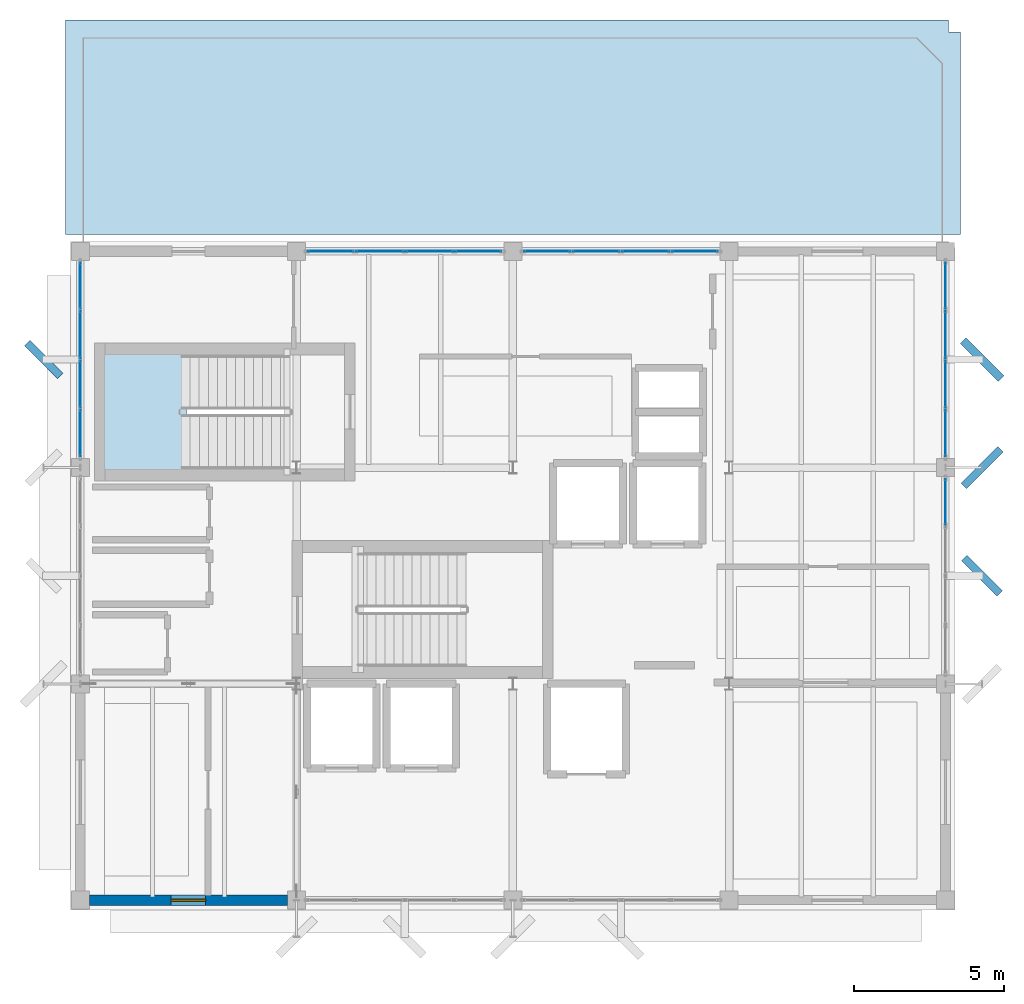
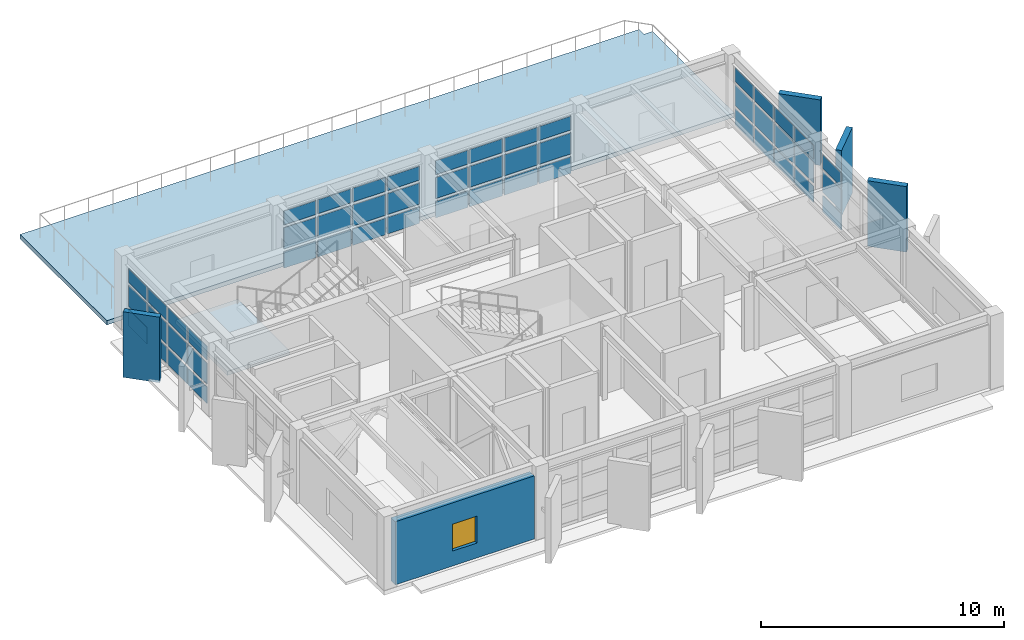
# One storey, part 10 of 16: 55 plates, 2 slabs, 1 wall, 1 window, 1 opening, 6 elements without a shape of their own.
"""IFC4 building model written with IfcOpenShell, lengths in metres."""

from ifc_helpers import new_model, si_unit, direction, frame, frame_2d, origin, origin_2d, place, context, subcontext, project, spatial, polyline, rectangle, outline, extrude, material, layer, layer_set, type_object, element, fill, aggregate, save


model = new_model("IFC4")

# Units and contexts
model_context = context("Model", 3, precision=1e-05, world=origin(), true_north=direction((0.0, 1.0)))
body_context = subcontext(model_context, "Body", "Model", "MODEL_VIEW")
ifc_project = project(units=[si_unit("LENGTHUNIT", "METRE"), si_unit("AREAUNIT", "SQUARE_METRE"), si_unit("VOLUMEUNIT", "CUBIC_METRE"), si_unit("PLANEANGLEUNIT", "RADIAN"), si_unit("MASSUNIT", "GRAM", prefix="KILO")], contexts=[model_context])

# Site, building, storey
site_placement = place(None, origin())
site = spatial("IfcSite", under=ifc_project, at=site_placement, CompositionType="ELEMENT")
building_placement = place(site_placement, origin())
building = spatial("IfcBuilding", under=site, at=building_placement, Name="Kandorven Conservatory and Botanical Research Centre", CompositionType="ELEMENT")
storey_placement = place(building_placement, frame((0.0, 0.0, 44.39990234375)))
storey = spatial("IfcBuildingStorey", under=building, at=storey_placement, Name="L11", CompositionType="ELEMENT", Elevation=44.39990234375)

# Curtain wall, plates
ifc_material_1 = material(Name="Bronze anodised thermally broken aluminium", Category="aluminium")
ifc_layer_1 = layer(ifc_material_1, 0.179931640625)
ifc_layer_set_1 = layer_set([ifc_layer_1], Name="Bronze anodised thermally broken aluminium")
curtain_wall_type = type_object("IfcCurtainWallType", Name="CW_Unitised", PredefinedType="USERDEFINED", material=ifc_layer_set_1)
curtain_wall_1_placement = place(storey_placement, origin())
curtain_wall_1 = element("IfcCurtainWall", 1, at=curtain_wall_1_placement, inside=storey, type_object=curtain_wall_type, Name="Tower laboratory curtain wall CW-TWR-N-L11-2", ObjectType="UNITISED GLAZING", PredefinedType="USERDEFINED")
ifc_material_2 = material(Name="Double-glazed solar-control low-E glass", Category="glass")
ifc_layer_2 = layer(ifc_material_2, 0.028076171875)
ifc_layer_set_2 = layer_set([ifc_layer_2], Name="Double-glazed solar-control low-E glass")
plate_type_1 = type_object("IfcPlateType", Name="CW_Panel", PredefinedType="CURTAIN_PANEL", material=ifc_layer_set_2)
plate_1_placement = place(storey_placement, frame((14.344970703125, 27.60009765625, 0.14990234375), z_axis=(0.0, 0.0, 1.0), x_axis=(1.0, 0.0, 0.0)))
plate_1 = element("IfcPlate", 2, at=plate_1_placement, type_object=plate_type_1, Name="CW-01 panel 1.1", PredefinedType="CURTAIN_PANEL", context=body_context, shape_type="SweptSolid", body=[
    extrude(rectangle(XDim=1.530029296875, YDim=0.028076171875, at=origin_2d()), origin(), (0.0, 0.0, 1.0), 0.824951171875),
])
plate_2_placement = place(storey_placement, frame((14.344970703125, 27.60009765625, 1.125), z_axis=(0.0, 0.0, 1.0), x_axis=(1.0, 0.0, 0.0)))
plate_2 = element("IfcPlate", 3, at=plate_2_placement, type_object=plate_type_1, Name="CW-01 panel 1.2", PredefinedType="CURTAIN_PANEL", context=body_context, shape_type="SweptSolid", body=[
    extrude(rectangle(XDim=1.530029296875, YDim=0.028076171875, at=origin_2d()), origin(), (0.0, 0.0, 1.0), 1.050048828125),
])
plate_3_placement = place(storey_placement, frame((14.344970703125, 27.60009765625, 2.3251953125), z_axis=(0.0, 0.0, 1.0), x_axis=(1.0, 0.0, 0.0)))
plate_3 = element("IfcPlate", 4, at=plate_3_placement, type_object=plate_type_1, Name="CW-01 panel 1.3", PredefinedType="CURTAIN_PANEL", context=body_context, shape_type="SweptSolid", body=[
    extrude(rectangle(XDim=1.530029296875, YDim=0.028076171875, at=origin_2d()), origin(), (0.0, 0.0, 1.0), 0.695068359375),
])
plate_4_placement = place(storey_placement, frame((15.97509765625, 27.60009765625, 0.14990234375), z_axis=(0.0, 0.0, 1.0), x_axis=(1.0, 0.0, 0.0)))
plate_4 = element("IfcPlate", 5, at=plate_4_placement, type_object=plate_type_1, Name="CW-01 panel 2.1", PredefinedType="CURTAIN_PANEL", context=body_context, shape_type="SweptSolid", body=[
    extrude(rectangle(XDim=1.570068359375, YDim=0.028076171875, at=origin_2d()), origin(), (0.0, 0.0, 1.0), 0.824951171875),
])
plate_5_placement = place(storey_placement, frame((15.97509765625, 27.60009765625, 1.125), z_axis=(0.0, 0.0, 1.0), x_axis=(1.0, 0.0, 0.0)))
plate_5 = element("IfcPlate", 6, at=plate_5_placement, type_object=plate_type_1, Name="CW-01 panel 2.2", PredefinedType="CURTAIN_PANEL", context=body_context, shape_type="SweptSolid", body=[
    extrude(rectangle(XDim=1.570068359375, YDim=0.028076171875, at=origin_2d()), origin(), (0.0, 0.0, 1.0), 1.050048828125),
])
plate_6_placement = place(storey_placement, frame((15.97509765625, 27.60009765625, 2.3251953125), z_axis=(0.0, 0.0, 1.0), x_axis=(1.0, 0.0, 0.0)))
plate_6 = element("IfcPlate", 7, at=plate_6_placement, type_object=plate_type_1, Name="CW-01 panel 2.3", PredefinedType="CURTAIN_PANEL", context=body_context, shape_type="SweptSolid", body=[
    extrude(rectangle(XDim=1.570068359375, YDim=0.028076171875, at=origin_2d()), origin(), (0.0, 0.0, 1.0), 0.695068359375),
])
plate_7_placement = place(storey_placement, frame((17.625, 27.60009765625, 0.14990234375), z_axis=(0.0, 0.0, 1.0), x_axis=(1.0, 0.0, 0.0)))
plate_7 = element("IfcPlate", 8, at=plate_7_placement, type_object=plate_type_1, Name="CW-01 panel 3.1", PredefinedType="CURTAIN_PANEL", context=body_context, shape_type="SweptSolid", body=[
    extrude(rectangle(XDim=1.570068359375, YDim=0.028076171875, at=origin_2d()), origin(), (0.0, 0.0, 1.0), 0.824951171875),
])
plate_8_placement = place(storey_placement, frame((17.625, 27.60009765625, 1.125), z_axis=(0.0, 0.0, 1.0), x_axis=(1.0, 0.0, 0.0)))
plate_8 = element("IfcPlate", 9, at=plate_8_placement, type_object=plate_type_1, Name="CW-01 panel 3.2", PredefinedType="CURTAIN_PANEL", context=body_context, shape_type="SweptSolid", body=[
    extrude(rectangle(XDim=1.570068359375, YDim=0.028076171875, at=origin_2d()), origin(), (0.0, 0.0, 1.0), 1.050048828125),
])
plate_9_placement = place(storey_placement, frame((17.625, 27.60009765625, 2.3251953125), z_axis=(0.0, 0.0, 1.0), x_axis=(1.0, 0.0, 0.0)))
plate_9 = element("IfcPlate", 10, at=plate_9_placement, type_object=plate_type_1, Name="CW-01 panel 3.3", PredefinedType="CURTAIN_PANEL", context=body_context, shape_type="SweptSolid", body=[
    extrude(rectangle(XDim=1.570068359375, YDim=0.028076171875, at=origin_2d()), origin(), (0.0, 0.0, 1.0), 0.695068359375),
])
plate_10_placement = place(storey_placement, frame((19.2548828125, 27.60009765625, 0.14990234375), z_axis=(0.0, 0.0, 1.0), x_axis=(1.0, 0.0, 0.0)))
plate_10 = element("IfcPlate", 11, at=plate_10_placement, type_object=plate_type_1, Name="CW-01 panel 4.1", PredefinedType="CURTAIN_PANEL", context=body_context, shape_type="SweptSolid", body=[
    extrude(rectangle(XDim=1.530029296875, YDim=0.028076171875, at=origin_2d()), origin(), (0.0, 0.0, 1.0), 0.824951171875),
])
plate_11_placement = place(storey_placement, frame((19.2548828125, 27.60009765625, 1.125), z_axis=(0.0, 0.0, 1.0), x_axis=(1.0, 0.0, 0.0)))
plate_11 = element("IfcPlate", 12, at=plate_11_placement, type_object=plate_type_1, Name="CW-01 panel 4.2", PredefinedType="CURTAIN_PANEL", context=body_context, shape_type="SweptSolid", body=[
    extrude(rectangle(XDim=1.530029296875, YDim=0.028076171875, at=origin_2d()), origin(), (0.0, 0.0, 1.0), 1.050048828125),
])
plate_12_placement = place(storey_placement, frame((19.2548828125, 27.60009765625, 2.3251953125), z_axis=(0.0, 0.0, 1.0), x_axis=(1.0, 0.0, 0.0)))
plate_12 = element("IfcPlate", 13, at=plate_12_placement, type_object=plate_type_1, Name="CW-01 panel 4.3", PredefinedType="CURTAIN_PANEL", context=body_context, shape_type="SweptSolid", body=[
    extrude(rectangle(XDim=1.530029296875, YDim=0.028076171875, at=origin_2d()), origin(), (0.0, 0.0, 1.0), 0.695068359375),
])
aggregate(curtain_wall_1, [plate_1, plate_2, plate_3, plate_4, plate_5, plate_6, plate_7, plate_8, plate_9, plate_10, plate_11, plate_12])

curtain_wall_2_placement = place(storey_placement, origin())
curtain_wall_2 = element("IfcCurtainWall", 14, at=curtain_wall_2_placement, inside=storey, type_object=curtain_wall_type, Name="Tower laboratory curtain wall CW-TWR-N-L11-3", ObjectType="UNITISED GLAZING", PredefinedType="USERDEFINED")
plate_13_placement = place(storey_placement, frame((21.544921875, 27.60009765625, 0.14990234375), z_axis=(0.0, 0.0, 1.0), x_axis=(1.0, 0.0, 0.0)))
plate_13 = element("IfcPlate", 15, at=plate_13_placement, type_object=plate_type_1, Name="CW-01 panel 1.1", PredefinedType="CURTAIN_PANEL", context=body_context, shape_type="SweptSolid", body=[
    extrude(rectangle(XDim=1.530029296875, YDim=0.028076171875, at=origin_2d()), origin(), (0.0, 0.0, 1.0), 0.824951171875),
])
plate_14_placement = place(storey_placement, frame((21.544921875, 27.60009765625, 1.125), z_axis=(0.0, 0.0, 1.0), x_axis=(1.0, 0.0, 0.0)))
plate_14 = element("IfcPlate", 16, at=plate_14_placement, type_object=plate_type_1, Name="CW-01 panel 1.2", PredefinedType="CURTAIN_PANEL", context=body_context, shape_type="SweptSolid", body=[
    extrude(rectangle(XDim=1.530029296875, YDim=0.028076171875, at=origin_2d()), origin(), (0.0, 0.0, 1.0), 1.050048828125),
])
plate_15_placement = place(storey_placement, frame((21.544921875, 27.60009765625, 2.3251953125), z_axis=(0.0, 0.0, 1.0), x_axis=(1.0, 0.0, 0.0)))
plate_15 = element("IfcPlate", 17, at=plate_15_placement, type_object=plate_type_1, Name="CW-01 panel 1.3", PredefinedType="CURTAIN_PANEL", context=body_context, shape_type="SweptSolid", body=[
    extrude(rectangle(XDim=1.530029296875, YDim=0.028076171875, at=origin_2d()), origin(), (0.0, 0.0, 1.0), 0.695068359375),
])
plate_16_placement = place(storey_placement, frame((23.175048828125, 27.60009765625, 0.14990234375), z_axis=(0.0, 0.0, 1.0), x_axis=(1.0, 0.0, 0.0)))
plate_16 = element("IfcPlate", 18, at=plate_16_placement, type_object=plate_type_1, Name="CW-01 panel 2.1", PredefinedType="CURTAIN_PANEL", context=body_context, shape_type="SweptSolid", body=[
    extrude(rectangle(XDim=1.570068359375, YDim=0.028076171875, at=origin_2d()), origin(), (0.0, 0.0, 1.0), 0.824951171875),
])
plate_17_placement = place(storey_placement, frame((23.175048828125, 27.60009765625, 1.125), z_axis=(0.0, 0.0, 1.0), x_axis=(1.0, 0.0, 0.0)))
plate_17 = element("IfcPlate", 19, at=plate_17_placement, type_object=plate_type_1, Name="CW-01 panel 2.2", PredefinedType="CURTAIN_PANEL", context=body_context, shape_type="SweptSolid", body=[
    extrude(rectangle(XDim=1.570068359375, YDim=0.028076171875, at=origin_2d()), origin(), (0.0, 0.0, 1.0), 1.050048828125),
])
plate_18_placement = place(storey_placement, frame((23.175048828125, 27.60009765625, 2.3251953125), z_axis=(0.0, 0.0, 1.0), x_axis=(1.0, 0.0, 0.0)))
plate_18 = element("IfcPlate", 20, at=plate_18_placement, type_object=plate_type_1, Name="CW-01 panel 2.3", PredefinedType="CURTAIN_PANEL", context=body_context, shape_type="SweptSolid", body=[
    extrude(rectangle(XDim=1.570068359375, YDim=0.028076171875, at=origin_2d()), origin(), (0.0, 0.0, 1.0), 0.695068359375),
])
plate_19_placement = place(storey_placement, frame((24.824951171875, 27.60009765625, 0.14990234375), z_axis=(0.0, 0.0, 1.0), x_axis=(1.0, 0.0, 0.0)))
plate_19 = element("IfcPlate", 21, at=plate_19_placement, type_object=plate_type_1, Name="CW-01 panel 3.1", PredefinedType="CURTAIN_PANEL", context=body_context, shape_type="SweptSolid", body=[
    extrude(rectangle(XDim=1.570068359375, YDim=0.028076171875, at=origin_2d()), origin(), (0.0, 0.0, 1.0), 0.824951171875),
])
plate_20_placement = place(storey_placement, frame((24.824951171875, 27.60009765625, 1.125), z_axis=(0.0, 0.0, 1.0), x_axis=(1.0, 0.0, 0.0)))
plate_20 = element("IfcPlate", 22, at=plate_20_placement, type_object=plate_type_1, Name="CW-01 panel 3.2", PredefinedType="CURTAIN_PANEL", context=body_context, shape_type="SweptSolid", body=[
    extrude(rectangle(XDim=1.570068359375, YDim=0.028076171875, at=origin_2d()), origin(), (0.0, 0.0, 1.0), 1.050048828125),
])
plate_21_placement = place(storey_placement, frame((24.824951171875, 27.60009765625, 2.3251953125), z_axis=(0.0, 0.0, 1.0), x_axis=(1.0, 0.0, 0.0)))
plate_21 = element("IfcPlate", 23, at=plate_21_placement, type_object=plate_type_1, Name="CW-01 panel 3.3", PredefinedType="CURTAIN_PANEL", context=body_context, shape_type="SweptSolid", body=[
    extrude(rectangle(XDim=1.570068359375, YDim=0.028076171875, at=origin_2d()), origin(), (0.0, 0.0, 1.0), 0.695068359375),
])
plate_22_placement = place(storey_placement, frame((26.455078125, 27.60009765625, 0.14990234375), z_axis=(0.0, 0.0, 1.0), x_axis=(1.0, 0.0, 0.0)))
plate_22 = element("IfcPlate", 24, at=plate_22_placement, type_object=plate_type_1, Name="CW-01 panel 4.1", PredefinedType="CURTAIN_PANEL", context=body_context, shape_type="SweptSolid", body=[
    extrude(rectangle(XDim=1.530029296875, YDim=0.028076171875, at=origin_2d()), origin(), (0.0, 0.0, 1.0), 0.824951171875),
])
plate_23_placement = place(storey_placement, frame((26.455078125, 27.60009765625, 1.125), z_axis=(0.0, 0.0, 1.0), x_axis=(1.0, 0.0, 0.0)))
plate_23 = element("IfcPlate", 25, at=plate_23_placement, type_object=plate_type_1, Name="CW-01 panel 4.2", PredefinedType="CURTAIN_PANEL", context=body_context, shape_type="SweptSolid", body=[
    extrude(rectangle(XDim=1.530029296875, YDim=0.028076171875, at=origin_2d()), origin(), (0.0, 0.0, 1.0), 1.050048828125),
])
plate_24_placement = place(storey_placement, frame((26.455078125, 27.60009765625, 2.3251953125), z_axis=(0.0, 0.0, 1.0), x_axis=(1.0, 0.0, 0.0)))
plate_24 = element("IfcPlate", 26, at=plate_24_placement, type_object=plate_type_1, Name="CW-01 panel 4.3", PredefinedType="CURTAIN_PANEL", context=body_context, shape_type="SweptSolid", body=[
    extrude(rectangle(XDim=1.530029296875, YDim=0.028076171875, at=origin_2d()), origin(), (0.0, 0.0, 1.0), 0.695068359375),
])
aggregate(curtain_wall_2, [plate_13, plate_14, plate_15, plate_16, plate_17, plate_18, plate_19, plate_20, plate_21, plate_22, plate_23, plate_24])

curtain_wall_3_placement = place(storey_placement, origin())
curtain_wall_3 = element("IfcCurtainWall", 27, at=curtain_wall_3_placement, inside=storey, type_object=curtain_wall_type, Name="Tower laboratory curtain wall CW-TWR-W-L11-3", ObjectType="UNITISED GLAZING", PredefinedType="USERDEFINED")
plate_25_placement = place(storey_placement, frame((6.0, 21.544921875, 0.14990234375), z_axis=(0.0, 0.0, 1.0), x_axis=(0.0, 1.0, 0.0)))
plate_25 = element("IfcPlate", 28, at=plate_25_placement, type_object=plate_type_1, Name="CW-01 panel 1.1", PredefinedType="CURTAIN_PANEL", context=body_context, shape_type="SweptSolid", body=[
    extrude(rectangle(XDim=1.530029296875, YDim=0.028076171875, at=origin_2d()), origin(), (0.0, 0.0, 1.0), 0.824951171875),
])
plate_26_placement = place(storey_placement, frame((6.0, 21.544921875, 1.125), z_axis=(0.0, 0.0, 1.0), x_axis=(0.0, 1.0, 0.0)))
plate_26 = element("IfcPlate", 29, at=plate_26_placement, type_object=plate_type_1, Name="CW-01 panel 1.2", PredefinedType="CURTAIN_PANEL", context=body_context, shape_type="SweptSolid", body=[
    extrude(rectangle(XDim=1.530029296875, YDim=0.028076171875, at=origin_2d()), origin(), (0.0, 0.0, 1.0), 1.050048828125),
])
plate_27_placement = place(storey_placement, frame((6.0, 21.544921875, 2.3251953125), z_axis=(0.0, 0.0, 1.0), x_axis=(0.0, 1.0, 0.0)))
plate_27 = element("IfcPlate", 30, at=plate_27_placement, type_object=plate_type_1, Name="CW-01 panel 1.3", PredefinedType="CURTAIN_PANEL", context=body_context, shape_type="SweptSolid", body=[
    extrude(rectangle(XDim=1.530029296875, YDim=0.028076171875, at=origin_2d()), origin(), (0.0, 0.0, 1.0), 0.695068359375),
])
plate_28_placement = place(storey_placement, frame((6.0, 23.175048828125, 0.14990234375), z_axis=(0.0, 0.0, 1.0), x_axis=(0.0, 1.0, 0.0)))
plate_28 = element("IfcPlate", 31, at=plate_28_placement, type_object=plate_type_1, Name="CW-01 panel 2.1", PredefinedType="CURTAIN_PANEL", context=body_context, shape_type="SweptSolid", body=[
    extrude(rectangle(XDim=1.570068359375, YDim=0.028076171875, at=origin_2d()), origin(), (0.0, 0.0, 1.0), 0.824951171875),
])
plate_29_placement = place(storey_placement, frame((6.0, 23.175048828125, 1.125), z_axis=(0.0, 0.0, 1.0), x_axis=(0.0, 1.0, 0.0)))
plate_29 = element("IfcPlate", 32, at=plate_29_placement, type_object=plate_type_1, Name="CW-01 panel 2.2", PredefinedType="CURTAIN_PANEL", context=body_context, shape_type="SweptSolid", body=[
    extrude(rectangle(XDim=1.570068359375, YDim=0.028076171875, at=origin_2d()), origin(), (0.0, 0.0, 1.0), 1.050048828125),
])
plate_30_placement = place(storey_placement, frame((6.0, 23.175048828125, 2.3251953125), z_axis=(0.0, 0.0, 1.0), x_axis=(0.0, 1.0, 0.0)))
plate_30 = element("IfcPlate", 33, at=plate_30_placement, type_object=plate_type_1, Name="CW-01 panel 2.3", PredefinedType="CURTAIN_PANEL", context=body_context, shape_type="SweptSolid", body=[
    extrude(rectangle(XDim=1.570068359375, YDim=0.028076171875, at=origin_2d()), origin(), (0.0, 0.0, 1.0), 0.695068359375),
])
plate_31_placement = place(storey_placement, frame((6.0, 24.824951171875, 0.14990234375), z_axis=(0.0, 0.0, 1.0), x_axis=(0.0, 1.0, 0.0)))
plate_31 = element("IfcPlate", 34, at=plate_31_placement, type_object=plate_type_1, Name="CW-01 panel 3.1", PredefinedType="CURTAIN_PANEL", context=body_context, shape_type="SweptSolid", body=[
    extrude(rectangle(XDim=1.570068359375, YDim=0.028076171875, at=origin_2d()), origin(), (0.0, 0.0, 1.0), 0.824951171875),
])
plate_32_placement = place(storey_placement, frame((6.0, 24.824951171875, 1.125), z_axis=(0.0, 0.0, 1.0), x_axis=(0.0, 1.0, 0.0)))
plate_32 = element("IfcPlate", 35, at=plate_32_placement, type_object=plate_type_1, Name="CW-01 panel 3.2", PredefinedType="CURTAIN_PANEL", context=body_context, shape_type="SweptSolid", body=[
    extrude(rectangle(XDim=1.570068359375, YDim=0.028076171875, at=origin_2d()), origin(), (0.0, 0.0, 1.0), 1.050048828125),
])
plate_33_placement = place(storey_placement, frame((6.0, 24.824951171875, 2.3251953125), z_axis=(0.0, 0.0, 1.0), x_axis=(0.0, 1.0, 0.0)))
plate_33 = element("IfcPlate", 36, at=plate_33_placement, type_object=plate_type_1, Name="CW-01 panel 3.3", PredefinedType="CURTAIN_PANEL", context=body_context, shape_type="SweptSolid", body=[
    extrude(rectangle(XDim=1.570068359375, YDim=0.028076171875, at=origin_2d()), origin(), (0.0, 0.0, 1.0), 0.695068359375),
])
plate_34_placement = place(storey_placement, frame((6.0, 26.455078125, 0.14990234375), z_axis=(0.0, 0.0, 1.0), x_axis=(0.0, 1.0, 0.0)))
plate_34 = element("IfcPlate", 37, at=plate_34_placement, type_object=plate_type_1, Name="CW-01 panel 4.1", PredefinedType="CURTAIN_PANEL", context=body_context, shape_type="SweptSolid", body=[
    extrude(rectangle(XDim=1.530029296875, YDim=0.028076171875, at=origin_2d()), origin(), (0.0, 0.0, 1.0), 0.824951171875),
])
plate_35_placement = place(storey_placement, frame((6.0, 26.455078125, 1.125), z_axis=(0.0, 0.0, 1.0), x_axis=(0.0, 1.0, 0.0)))
plate_35 = element("IfcPlate", 38, at=plate_35_placement, type_object=plate_type_1, Name="CW-01 panel 4.2", PredefinedType="CURTAIN_PANEL", context=body_context, shape_type="SweptSolid", body=[
    extrude(rectangle(XDim=1.530029296875, YDim=0.028076171875, at=origin_2d()), origin(), (0.0, 0.0, 1.0), 1.050048828125),
])
plate_36_placement = place(storey_placement, frame((6.0, 26.455078125, 2.3251953125), z_axis=(0.0, 0.0, 1.0), x_axis=(0.0, 1.0, 0.0)))
plate_36 = element("IfcPlate", 39, at=plate_36_placement, type_object=plate_type_1, Name="CW-01 panel 4.3", PredefinedType="CURTAIN_PANEL", context=body_context, shape_type="SweptSolid", body=[
    extrude(rectangle(XDim=1.530029296875, YDim=0.028076171875, at=origin_2d()), origin(), (0.0, 0.0, 1.0), 0.695068359375),
])
aggregate(curtain_wall_3, [plate_25, plate_26, plate_27, plate_28, plate_29, plate_30, plate_31, plate_32, plate_33, plate_34, plate_35, plate_36])

curtain_wall_4_placement = place(storey_placement, origin())
curtain_wall_4 = element("IfcCurtainWall", 40, at=curtain_wall_4_placement, inside=storey, type_object=curtain_wall_type, Name="Tower laboratory curtain wall CW-TWR-E-L11-2", ObjectType="UNITISED GLAZING", PredefinedType="USERDEFINED")
plate_37_placement = place(storey_placement, frame((34.800048828125, 19.2548828125, 0.14990234375), z_axis=(0.0, 0.0, 1.0), x_axis=(0.0, 1.0, 0.0)))
plate_37 = element("IfcPlate", 41, at=plate_37_placement, type_object=plate_type_1, Name="CW-01 panel 4.1", PredefinedType="CURTAIN_PANEL", context=body_context, shape_type="SweptSolid", body=[
    extrude(rectangle(XDim=1.530029296875, YDim=0.028076171875, at=origin_2d()), origin(), (0.0, 0.0, 1.0), 0.824951171875),
])
plate_38_placement = place(storey_placement, frame((34.800048828125, 19.2548828125, 1.125), z_axis=(0.0, 0.0, 1.0), x_axis=(0.0, 1.0, 0.0)))
plate_38 = element("IfcPlate", 42, at=plate_38_placement, type_object=plate_type_1, Name="CW-01 panel 4.2", PredefinedType="CURTAIN_PANEL", context=body_context, shape_type="SweptSolid", body=[
    extrude(rectangle(XDim=1.530029296875, YDim=0.028076171875, at=origin_2d()), origin(), (0.0, 0.0, 1.0), 1.050048828125),
])
plate_39_placement = place(storey_placement, frame((34.800048828125, 19.2548828125, 2.3251953125), z_axis=(0.0, 0.0, 1.0), x_axis=(0.0, 1.0, 0.0)))
plate_39 = element("IfcPlate", 43, at=plate_39_placement, type_object=plate_type_1, Name="CW-01 panel 4.3", PredefinedType="CURTAIN_PANEL", context=body_context, shape_type="SweptSolid", body=[
    extrude(rectangle(XDim=1.530029296875, YDim=0.028076171875, at=origin_2d()), origin(), (0.0, 0.0, 1.0), 0.695068359375),
])
aggregate(curtain_wall_4, [plate_37, plate_38, plate_39])

curtain_wall_5_placement = place(storey_placement, origin())
curtain_wall_5 = element("IfcCurtainWall", 44, at=curtain_wall_5_placement, inside=storey, type_object=curtain_wall_type, Name="Tower laboratory curtain wall CW-TWR-E-L11-3", ObjectType="UNITISED GLAZING", PredefinedType="USERDEFINED")
plate_40_placement = place(storey_placement, frame((34.800048828125, 21.544921875, 0.14990234375), z_axis=(0.0, 0.0, 1.0), x_axis=(0.0, 1.0, 0.0)))
plate_40 = element("IfcPlate", 45, at=plate_40_placement, type_object=plate_type_1, Name="CW-01 panel 1.1", PredefinedType="CURTAIN_PANEL", context=body_context, shape_type="SweptSolid", body=[
    extrude(rectangle(XDim=1.530029296875, YDim=0.028076171875, at=origin_2d()), origin(), (0.0, 0.0, 1.0), 0.824951171875),
])
plate_41_placement = place(storey_placement, frame((34.800048828125, 21.544921875, 1.125), z_axis=(0.0, 0.0, 1.0), x_axis=(0.0, 1.0, 0.0)))
plate_41 = element("IfcPlate", 46, at=plate_41_placement, type_object=plate_type_1, Name="CW-01 panel 1.2", PredefinedType="CURTAIN_PANEL", context=body_context, shape_type="SweptSolid", body=[
    extrude(rectangle(XDim=1.530029296875, YDim=0.028076171875, at=origin_2d()), origin(), (0.0, 0.0, 1.0), 1.050048828125),
])
plate_42_placement = place(storey_placement, frame((34.800048828125, 21.544921875, 2.3251953125), z_axis=(0.0, 0.0, 1.0), x_axis=(0.0, 1.0, 0.0)))
plate_42 = element("IfcPlate", 47, at=plate_42_placement, type_object=plate_type_1, Name="CW-01 panel 1.3", PredefinedType="CURTAIN_PANEL", context=body_context, shape_type="SweptSolid", body=[
    extrude(rectangle(XDim=1.530029296875, YDim=0.028076171875, at=origin_2d()), origin(), (0.0, 0.0, 1.0), 0.695068359375),
])
plate_43_placement = place(storey_placement, frame((34.800048828125, 23.175048828125, 0.14990234375), z_axis=(0.0, 0.0, 1.0), x_axis=(0.0, 1.0, 0.0)))
plate_43 = element("IfcPlate", 48, at=plate_43_placement, type_object=plate_type_1, Name="CW-01 panel 2.1", PredefinedType="CURTAIN_PANEL", context=body_context, shape_type="SweptSolid", body=[
    extrude(rectangle(XDim=1.570068359375, YDim=0.028076171875, at=origin_2d()), origin(), (0.0, 0.0, 1.0), 0.824951171875),
])
plate_44_placement = place(storey_placement, frame((34.800048828125, 23.175048828125, 1.125), z_axis=(0.0, 0.0, 1.0), x_axis=(0.0, 1.0, 0.0)))
plate_44 = element("IfcPlate", 49, at=plate_44_placement, type_object=plate_type_1, Name="CW-01 panel 2.2", PredefinedType="CURTAIN_PANEL", context=body_context, shape_type="SweptSolid", body=[
    extrude(rectangle(XDim=1.570068359375, YDim=0.028076171875, at=origin_2d()), origin(), (0.0, 0.0, 1.0), 1.050048828125),
])
plate_45_placement = place(storey_placement, frame((34.800048828125, 23.175048828125, 2.3251953125), z_axis=(0.0, 0.0, 1.0), x_axis=(0.0, 1.0, 0.0)))
plate_45 = element("IfcPlate", 50, at=plate_45_placement, type_object=plate_type_1, Name="CW-01 panel 2.3", PredefinedType="CURTAIN_PANEL", context=body_context, shape_type="SweptSolid", body=[
    extrude(rectangle(XDim=1.570068359375, YDim=0.028076171875, at=origin_2d()), origin(), (0.0, 0.0, 1.0), 0.695068359375),
])
plate_46_placement = place(storey_placement, frame((34.800048828125, 24.824951171875, 0.14990234375), z_axis=(0.0, 0.0, 1.0), x_axis=(0.0, 1.0, 0.0)))
plate_46 = element("IfcPlate", 51, at=plate_46_placement, type_object=plate_type_1, Name="CW-01 panel 3.1", PredefinedType="CURTAIN_PANEL", context=body_context, shape_type="SweptSolid", body=[
    extrude(rectangle(XDim=1.570068359375, YDim=0.028076171875, at=origin_2d()), origin(), (0.0, 0.0, 1.0), 0.824951171875),
])
plate_47_placement = place(storey_placement, frame((34.800048828125, 24.824951171875, 1.125), z_axis=(0.0, 0.0, 1.0), x_axis=(0.0, 1.0, 0.0)))
plate_47 = element("IfcPlate", 52, at=plate_47_placement, type_object=plate_type_1, Name="CW-01 panel 3.2", PredefinedType="CURTAIN_PANEL", context=body_context, shape_type="SweptSolid", body=[
    extrude(rectangle(XDim=1.570068359375, YDim=0.028076171875, at=origin_2d()), origin(), (0.0, 0.0, 1.0), 1.050048828125),
])
plate_48_placement = place(storey_placement, frame((34.800048828125, 24.824951171875, 2.3251953125), z_axis=(0.0, 0.0, 1.0), x_axis=(0.0, 1.0, 0.0)))
plate_48 = element("IfcPlate", 53, at=plate_48_placement, type_object=plate_type_1, Name="CW-01 panel 3.3", PredefinedType="CURTAIN_PANEL", context=body_context, shape_type="SweptSolid", body=[
    extrude(rectangle(XDim=1.570068359375, YDim=0.028076171875, at=origin_2d()), origin(), (0.0, 0.0, 1.0), 0.695068359375),
])
plate_49_placement = place(storey_placement, frame((34.800048828125, 26.455078125, 0.14990234375), z_axis=(0.0, 0.0, 1.0), x_axis=(0.0, 1.0, 0.0)))
plate_49 = element("IfcPlate", 54, at=plate_49_placement, type_object=plate_type_1, Name="CW-01 panel 4.1", PredefinedType="CURTAIN_PANEL", context=body_context, shape_type="SweptSolid", body=[
    extrude(rectangle(XDim=1.530029296875, YDim=0.028076171875, at=origin_2d()), origin(), (0.0, 0.0, 1.0), 0.824951171875),
])
plate_50_placement = place(storey_placement, frame((34.800048828125, 26.455078125, 1.125), z_axis=(0.0, 0.0, 1.0), x_axis=(0.0, 1.0, 0.0)))
plate_50 = element("IfcPlate", 55, at=plate_50_placement, type_object=plate_type_1, Name="CW-01 panel 4.2", PredefinedType="CURTAIN_PANEL", context=body_context, shape_type="SweptSolid", body=[
    extrude(rectangle(XDim=1.530029296875, YDim=0.028076171875, at=origin_2d()), origin(), (0.0, 0.0, 1.0), 1.050048828125),
])
plate_51_placement = place(storey_placement, frame((34.800048828125, 26.455078125, 2.3251953125), z_axis=(0.0, 0.0, 1.0), x_axis=(0.0, 1.0, 0.0)))
plate_51 = element("IfcPlate", 56, at=plate_51_placement, type_object=plate_type_1, Name="CW-01 panel 4.3", PredefinedType="CURTAIN_PANEL", context=body_context, shape_type="SweptSolid", body=[
    extrude(rectangle(XDim=1.530029296875, YDim=0.028076171875, at=origin_2d()), origin(), (0.0, 0.0, 1.0), 0.695068359375),
])
aggregate(curtain_wall_5, [plate_40, plate_41, plate_42, plate_43, plate_44, plate_45, plate_46, plate_47, plate_48, plate_49, plate_50, plate_51])

# Plates
ifc_material_3 = material(Name="Precast concrete C40/50 (M50)", Category="concrete")
ifc_layer_3 = layer(ifc_material_3, 0.251953125)
ifc_layer_set_3 = layer_set([ifc_layer_3], Name="Precast concrete C40/50 (M50)")
plate_type_2 = type_object("IfcPlateType", Name="Fin_BF-13", PredefinedType="USERDEFINED", material=ifc_layer_set_3)
plate_52_placement = place(storey_placement, frame((4.780029296875, 24.0, -0.119873046875), z_axis=(0.0, 0.0, 1.0), x_axis=(-0.707106781187, 0.707106781187, 0.0)))
element("IfcPlate", 57, at=plate_52_placement, inside=storey, type_object=plate_type_2, Name="Sculpted board-marked concrete brise-soleil fin BF-13", ObjectType="SOLAR FIN", PredefinedType="USERDEFINED", context=body_context, shape_type="SweptSolid", body=[
    extrude(rectangle(XDim=1.550048828125, YDim=0.251953125, at=origin_2d()), origin(), (0.0, 0.0, 1.0), 3.2900390625),
])
ifc_material_4 = material(Name="Precast concrete C40/50 (M50)", Category="concrete")
ifc_layer_4 = layer(ifc_material_4, 0.261962890625)
ifc_layer_set_4 = layer_set([ifc_layer_4], Name="Precast concrete C40/50 (M50)")
plate_type_3 = type_object("IfcPlateType", Name="Fin_BF-15", PredefinedType="USERDEFINED", material=ifc_layer_set_4)
plate_53_placement = place(storey_placement, frame((36.02001953125, 16.800048828125, -0.119873046875), z_axis=(0.0, 0.0, 1.0), x_axis=(-0.707106781187, 0.707106781187, 0.0)))
element("IfcPlate", 58, at=plate_53_placement, inside=storey, type_object=plate_type_3, Name="Sculpted board-marked concrete brise-soleil fin BF-15", ObjectType="SOLAR FIN", PredefinedType="USERDEFINED", context=body_context, shape_type="SweptSolid", body=[
    extrude(rectangle(XDim=1.669921875, YDim=0.261962890625, at=origin_2d()), origin(), (0.0, 0.0, 1.0), 3.2900390625),
])
ifc_material_5 = material(Name="Precast concrete C40/50 (M50)", Category="concrete")
ifc_layer_5 = layer(ifc_material_5, 0.26611328125)
ifc_layer_set_5 = layer_set([ifc_layer_5], Name="Precast concrete C40/50 (M50)")
plate_type_4 = type_object("IfcPlateType", Name="Fin_BF-16", PredefinedType="USERDEFINED", material=ifc_layer_set_5)
plate_54_placement = place(storey_placement, frame((36.02001953125, 20.39990234375, -0.119873046875), z_axis=(0.0, 0.0, 1.0), x_axis=(0.707106781187, 0.707106781187, 0.0)))
element("IfcPlate", 59, at=plate_54_placement, inside=storey, type_object=plate_type_4, Name="Sculpted board-marked concrete brise-soleil fin BF-16", ObjectType="SOLAR FIN", PredefinedType="USERDEFINED", context=body_context, shape_type="SweptSolid", body=[
    extrude(rectangle(XDim=1.72998046875, YDim=0.26611328125, at=origin_2d()), origin(), (0.0, 0.0, 1.0), 3.2900390625),
])
ifc_material_6 = material(Name="Precast concrete C40/50 (M50)", Category="concrete")
ifc_layer_6 = layer(ifc_material_6, 0.27197265625)
ifc_layer_set_6 = layer_set([ifc_layer_6], Name="Precast concrete C40/50 (M50)")
plate_type_5 = type_object("IfcPlateType", Name="Fin_BF-17", PredefinedType="USERDEFINED", material=ifc_layer_set_6)
plate_55_placement = place(storey_placement, frame((36.02001953125, 24.0, -0.119873046875), z_axis=(0.0, 0.0, 1.0), x_axis=(-0.707106781187, 0.707106781187, 0.0)))
element("IfcPlate", 60, at=plate_55_placement, inside=storey, type_object=plate_type_5, Name="Sculpted board-marked concrete brise-soleil fin BF-17", ObjectType="SOLAR FIN", PredefinedType="USERDEFINED", context=body_context, shape_type="SweptSolid", body=[
    extrude(rectangle(XDim=1.7900390625, YDim=0.27197265625, at=origin_2d()), origin(), (0.0, 0.0, 1.0), 3.2900390625),
])

# Slab
ifc_material_7 = material(Name="Concrete C32/40 (M40)", Category="concrete")
ifc_layer_7 = layer(ifc_material_7, 0.215087890625)
ifc_layer_set_7 = layer_set([ifc_layer_7], Name="Concrete C32/40 (M40)")
slab_type_1 = type_object("IfcSlabType", Name="Slab_RS-04", PredefinedType="ROOF", material=ifc_layer_set_7)
slab_1_placement = place(storey_placement, frame((0.0, 0.0, -0.21484375)))
element("IfcSlab", 61, at=slab_1_placement, inside=storey, type_object=slab_type_1, Name="Level L11 guarded refuge and observation terrace slab", PredefinedType="ROOF", context=body_context, shape_type="SweptSolid", body=[
    extrude(outline(polyline([(5.5, 28.159912109375), (35.300048828125, 28.159912109375), (35.300048828125, 34.89990234375), (34.89990234375, 34.89990234375), (34.89990234375, 35.300048828125), (5.5, 35.300048828125), (5.5, 28.159912109375)])), origin(), (0.0, 0.0, 1.0), 0.21484375),
])

# Stair, slab
ifc_material_8 = material(Name="Concrete C32/40 (M40)", Category="concrete")
stair_type = type_object("IfcStairType", Name="Stair_1820", PredefinedType="HALF_TURN_STAIR", material=ifc_material_8)
stair_placement = place(storey_placement, origin())
stair = element("IfcStair", 62, at=stair_placement, inside=storey, type_object=stair_type, Name="L11 Tower Fire Stair ST-T2", PredefinedType="HALF_TURN_STAIR")
ifc_material_9 = material(Name="Concrete C32/40 (M40)", Category="concrete")
ifc_layer_8 = layer(ifc_material_9, 0.199951171875)
ifc_layer_set_8 = layer_set([ifc_layer_8], Name="Concrete C32/40 (M40)")
slab_type_2 = type_object("IfcSlabType", Name="StairLanding_200", PredefinedType="LANDING", material=ifc_layer_set_8)
slab_2_placement = place(storey_placement, frame((0.0, 0.0, 1.75)))
slab_2 = element("IfcSlab", 63, at=slab_2_placement, type_object=slab_type_2, Name="ST-T2 landing 1", PredefinedType="LANDING", context=body_context, shape_type="SweptSolid", body=[
    extrude(outline(polyline([(9.54052734375, 24.389892578125), (6.580078125, 24.389892578125), (6.580078125, 20.1201171875), (9.54052734375, 20.1201171875), (9.54052734375, 24.389892578125)])), origin(), (0.0, 0.0, 1.0), 0.2001953125),
])
aggregate(stair, [slab_2])

# Wall, opening, window
ifc_material_10 = material(Name="Concrete C40/50 (M50)", Category="concrete")
ifc_layer_9 = layer(ifc_material_10, 0.360107421875)
ifc_layer_set_9 = layer_set([ifc_layer_9], Name="Concrete C40/50 (M50)")
wall_type = type_object("IfcWallType", Name="Wall_EW-01", PredefinedType="STANDARD", material=ifc_layer_set_9)
wall_placement = place(storey_placement, frame((6.300048828125, 6.0, 0.0), z_axis=(0.0, 0.0, 1.0), x_axis=(1.0, 0.0, 0.0)))
wall = element("IfcWall", 64, at=wall_placement, inside=storey, type_object=wall_type, Name="Tower concrete facade wall EW-01 S L11", PredefinedType="STANDARD", context=body_context, shape_type="SweptSolid", body=[
    extrude(rectangle(XDim=6.599853515625, YDim=0.360107421875, at=frame_2d((3.2998046875, 0.0))), origin(), (0.0, 0.0, 1.0), 3.170166015625),
])
opening_placement = place(wall_placement, frame((2.72509765625, 0.0, 0.75)))
opening = element("IfcOpeningElement", 65, at=opening_placement, cuts=wall, Name="Opening W-31", PredefinedType="OPENING", context=body_context, shape_type="SweptSolid", body=[
    extrude(rectangle(XDim=1.14990234375, YDim=1.35009765625, at=frame_2d((0.574951171875, 0.675048828125))), frame((0.0, 0.18994140625, 0.0), z_axis=(0.0, -1.0, 0.0), x_axis=(1.0, 0.0, 0.0)), (0.0, 0.0, 1.0), 0.380126953125),
])
ifc_material_11 = material(Name="Double-glazed solar-control low-E glass", Category="glass")
window_type = type_object("IfcWindowType", Name="Win_W-31", PartitioningType="DOUBLE_PANEL_VERTICAL", PredefinedType="WINDOW", material=ifc_material_11)
window_placement = place(opening_placement, origin())
window = element("IfcWindow", 66, at=window_placement, inside=storey, type_object=window_type, Name="Tower recessed solar window W-31", OverallHeight=1.35009765625, OverallWidth=1.14990234375, PartitioningType="SINGLE_PANEL", PredefinedType="WINDOW", context=body_context, shape_type="SweptSolid", body=[
    extrude(rectangle(XDim=1.14990234375, YDim=1.35009765625, at=frame_2d((0.574951171875, 0.675048828125))), frame((0.0, 0.030029296875, 0.0), z_axis=(0.0, -1.0, 0.0), x_axis=(1.0, 0.0, 0.0)), (0.0, 0.0, 1.0), 0.06005859375),
])
fill(opening, window)

save(model, "model.ifc")
